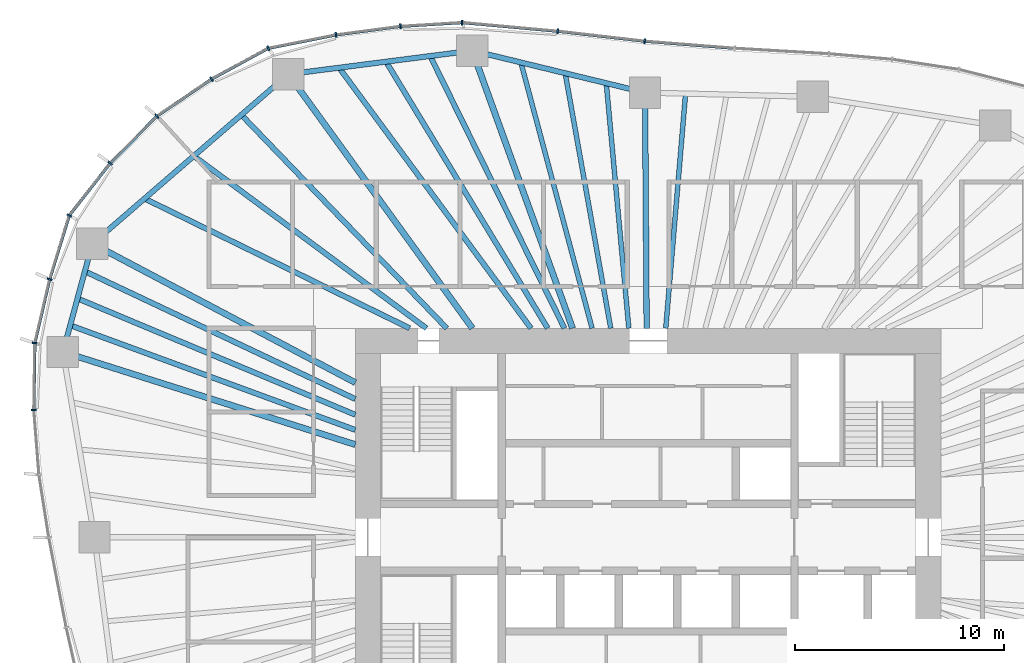
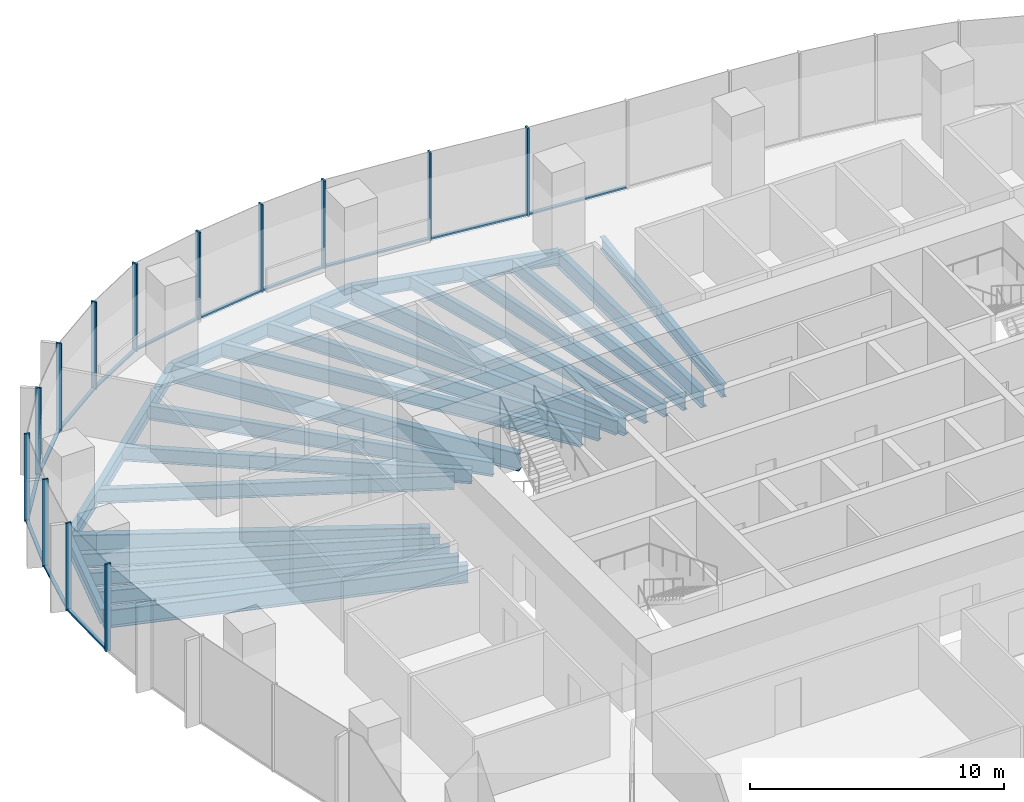
# One storey, part 5 of 18: 26 members, 22 beams, 6 elements without a shape of their own.
"""IFC4 building model written with IfcOpenShell, lengths in metres."""

from ifc_helpers import new_model, si_unit, direction, frame, origin, origin_2d, place, context, subcontext, project, spatial, rectangle, i_section, extrude, material, material_profile, profile_set, type_object, element, aggregate, save


model = new_model("IFC4")

# Units and contexts
model_context = context("Model", 3, precision=1e-05, world=origin(), true_north=direction((0.0, 1.0)))
body_context = subcontext(model_context, "Body", "Model", "MODEL_VIEW")
ifc_project = project(units=[si_unit("LENGTHUNIT", "METRE"), si_unit("AREAUNIT", "SQUARE_METRE"), si_unit("VOLUMEUNIT", "CUBIC_METRE"), si_unit("PLANEANGLEUNIT", "RADIAN"), si_unit("MASSUNIT", "GRAM", prefix="KILO")], contexts=[model_context])

# Site, building, storey
site_placement = place(None, origin())
site = spatial("IfcSite", under=ifc_project, at=site_placement, CompositionType="ELEMENT")
building_placement = place(site_placement, origin())
building = spatial("IfcBuilding", under=site, at=building_placement, Name="Ghaith Harvest Tower", CompositionType="ELEMENT")
storey_placement = place(building_placement, frame((0.0, 0.0, 142.800048828125)))
storey = spatial("IfcBuildingStorey", under=building, at=storey_placement, Name="L30", CompositionType="ELEMENT", Elevation=142.800048828125)

# Curtain wall, members
ifc_material_1 = material(Name="Black anodised aluminium and fritted glass", Category="aluminium")
curtain_wall_type = type_object("IfcCurtainWallType", Name="CW-L CURTAIN WALL", PredefinedType="NOTDEFINED", material=ifc_material_1)
curtain_wall_1_placement = place(storey_placement, origin())
curtain_wall_1 = element("IfcCurtainWall", 1, at=curtain_wall_1_placement, inside=storey, type_object=curtain_wall_type, Name="Curtain wall CW-L bay 06 L30", PredefinedType="NOTDEFINED")
ifc_material_2 = material(Name="Aluminium, black anodised", Category="aluminium")
ifc_material_profile_1 = material_profile(ifc_material_2, rectangle(XDim=0.080078125, YDim=0.239990234375, at=origin_2d()), Name="CW-L MULLION 80x240")
ifc_profile_set_1 = profile_set([ifc_material_profile_1], Name="Aluminium, black anodised")
member_type_1 = type_object("IfcMemberType", Name="CW-L MULLION 80x240", PredefinedType="MULLION", material=ifc_profile_set_1)
member_1_placement = place(storey_placement, frame((-0.162353515625, 23.729736328125, 0.0), z_axis=(0.0, 0.0, 1.0), x_axis=(-0.995388088953, 0.095929934691, 0.0)))
member_1 = element("IfcMember", 2, at=member_1_placement, type_object=member_type_1, Name="CW-L mullion 1 bay 06 L30", PredefinedType="MULLION", context=body_context, shape_type="SweptSolid", body=[
    extrude(rectangle(XDim=0.080078125, YDim=0.239990234375, at=origin_2d()), origin(), (0.0, 0.0, 1.0), 4.199951171875),
])
member_2_placement = place(storey_placement, frame((-4.322998046875, 24.207275390625, 0.0), z_axis=(0.0, 0.0, 1.0), x_axis=(-0.994830371571, 0.101550636625, 0.0)))
member_2 = element("IfcMember", 3, at=member_2_placement, type_object=member_type_1, Name="CW-L mullion 2 bay 06 L30", PredefinedType="MULLION", context=body_context, shape_type="SweptSolid", body=[
    extrude(rectangle(XDim=0.080078125, YDim=0.239990234375, at=origin_2d()), origin(), (0.0, 0.0, 1.0), 4.199951171875),
])

curtain_wall_2_placement = place(storey_placement, origin())
curtain_wall_2 = element("IfcCurtainWall", 4, at=curtain_wall_2_placement, inside=storey, type_object=curtain_wall_type, Name="Curtain wall CW-L bay 07 L30", PredefinedType="NOTDEFINED")
member_3_placement = place(storey_placement, frame((-8.892578125, 24.620849609375, 0.0), z_axis=(0.0, 0.0, 1.0), x_axis=(-0.999522209385, 0.030908784286, 0.0)))
member_3 = element("IfcMember", 5, at=member_3_placement, type_object=member_type_1, Name="CW-L mullion 1 bay 07 L30", PredefinedType="MULLION", context=body_context, shape_type="SweptSolid", body=[
    extrude(rectangle(XDim=0.080078125, YDim=0.239990234375, at=origin_2d()), origin(), (0.0, 0.0, 1.0), 4.199951171875),
])
member_4_placement = place(storey_placement, frame((-11.841064453125, 24.439697265625, 0.0), z_axis=(0.0, 0.0, 1.0), x_axis=(-0.995237520168, -0.097479630949, 0.0)))
member_4 = element("IfcMember", 6, at=member_4_placement, type_object=member_type_1, Name="CW-L mullion 2 bay 07 L30", PredefinedType="MULLION", context=body_context, shape_type="SweptSolid", body=[
    extrude(rectangle(XDim=0.080078125, YDim=0.239990234375, at=origin_2d()), origin(), (0.0, 0.0, 1.0), 4.199951171875),
])
member_5_placement = place(storey_placement, frame((-14.923828125, 24.030029296875, 0.0), z_axis=(0.0, 0.0, 1.0), x_axis=(-0.986494514812, -0.163794298578, 0.0)))
member_5 = element("IfcMember", 7, at=member_5_placement, type_object=member_type_1, Name="CW-L mullion 3 bay 07 L30", PredefinedType="MULLION", context=body_context, shape_type="SweptSolid", body=[
    extrude(rectangle(XDim=0.080078125, YDim=0.239990234375, at=origin_2d()), origin(), (0.0, 0.0, 1.0), 4.199951171875),
])

curtain_wall_3_placement = place(storey_placement, origin())
curtain_wall_3 = element("IfcCurtainWall", 8, at=curtain_wall_3_placement, inside=storey, type_object=curtain_wall_type, Name="Curtain wall CW-L bay 08 L30", PredefinedType="NOTDEFINED")
member_6_placement = place(storey_placement, frame((-18.165283203125, 23.3896484375, 0.0), z_axis=(0.0, 0.0, 1.0), x_axis=(-0.942103541202, -0.335322110298, 0.0)))
member_6 = element("IfcMember", 9, at=member_6_placement, type_object=member_type_1, Name="CW-L mullion 1 bay 08 L30", PredefinedType="MULLION", context=body_context, shape_type="SweptSolid", body=[
    extrude(rectangle(XDim=0.080078125, YDim=0.239990234375, at=origin_2d()), origin(), (0.0, 0.0, 1.0), 4.199951171875),
])
member_7_placement = place(storey_placement, frame((-20.87548828125, 21.91162109375, 0.0), z_axis=(0.0, 0.0, 1.0), x_axis=(-0.853515864435, -0.521066856707, 0.0)))
member_7 = element("IfcMember", 10, at=member_7_placement, type_object=member_type_1, Name="CW-L mullion 2 bay 08 L30", PredefinedType="MULLION", context=body_context, shape_type="SweptSolid", body=[
    extrude(rectangle(XDim=0.080078125, YDim=0.239990234375, at=origin_2d()), origin(), (0.0, 0.0, 1.0), 4.199951171875),
])
member_8_placement = place(storey_placement, frame((-23.489501953125, 20.13916015625, 0.0), z_axis=(0.0, 0.0, 1.0), x_axis=(-0.769682554376, -0.638426789451, 0.0)))
member_8 = element("IfcMember", 11, at=member_8_placement, type_object=member_type_1, Name="CW-L mullion 3 bay 08 L30", PredefinedType="MULLION", context=body_context, shape_type="SweptSolid", body=[
    extrude(rectangle(XDim=0.080078125, YDim=0.239990234375, at=origin_2d()), origin(), (0.0, 0.0, 1.0), 4.199951171875),
])

curtain_wall_4_placement = place(storey_placement, origin())
curtain_wall_4 = element("IfcCurtainWall", 12, at=curtain_wall_4_placement, inside=storey, type_object=curtain_wall_type, Name="Curtain wall CW-L bay 09 L30", PredefinedType="NOTDEFINED")
member_9_placement = place(storey_placement, frame((-25.718017578125, 17.894775390625, 0.0), z_axis=(0.0, 0.0, 1.0), x_axis=(-0.661903840688, -0.749588757708, 0.0)))
member_9 = element("IfcMember", 13, at=member_9_placement, type_object=member_type_1, Name="CW-L mullion 1 bay 09 L30", PredefinedType="MULLION", context=body_context, shape_type="SweptSolid", body=[
    extrude(rectangle(XDim=0.080078125, YDim=0.239990234375, at=origin_2d()), origin(), (0.0, 0.0, 1.0), 4.199951171875),
])
member_10_placement = place(storey_placement, frame((-27.67919921875, 15.39453125, 0.0), z_axis=(0.0, 0.0, 1.0), x_axis=(-0.462889784298, -0.886415843491, 0.0)))
member_10 = element("IfcMember", 14, at=member_10_placement, type_object=member_type_1, Name="CW-L mullion 2 bay 09 L30", PredefinedType="MULLION", context=body_context, shape_type="SweptSolid", body=[
    extrude(rectangle(XDim=0.080078125, YDim=0.239990234375, at=origin_2d()), origin(), (0.0, 0.0, 1.0), 4.199951171875),
])
member_11_placement = place(storey_placement, frame((-28.61669921875, 12.343994140625, 0.0), z_axis=(0.0, 0.0, 1.0), x_axis=(-0.260727312416, -0.965412486226, 0.0)))
member_11 = element("IfcMember", 15, at=member_11_placement, type_object=member_type_1, Name="CW-L mullion 3 bay 09 L30", PredefinedType="MULLION", context=body_context, shape_type="SweptSolid", body=[
    extrude(rectangle(XDim=0.080078125, YDim=0.239990234375, at=origin_2d()), origin(), (0.0, 0.0, 1.0), 4.199951171875),
])

curtain_wall_5_placement = place(storey_placement, origin())
curtain_wall_5 = element("IfcCurtainWall", 16, at=curtain_wall_5_placement, inside=storey, type_object=curtain_wall_type, Name="Curtain wall CW-L bay 10 L30", PredefinedType="NOTDEFINED")
member_12_placement = place(storey_placement, frame((-29.32666015625, 9.294189453125, 0.0), z_axis=(0.0, 0.0, 1.0), x_axis=(-0.120932140225, -0.99266077663, 0.0)))
member_12 = element("IfcMember", 17, at=member_12_placement, type_object=member_type_1, Name="CW-L mullion 1 bay 10 L30", PredefinedType="MULLION", context=body_context, shape_type="SweptSolid", body=[
    extrude(rectangle(XDim=0.080078125, YDim=0.239990234375, at=origin_2d()), origin(), (0.0, 0.0, 1.0), 4.199951171875),
])
member_13_placement = place(storey_placement, frame((-29.3779296875, 6.09619140625, 0.0), z_axis=(0.0, 0.0, 1.0), x_axis=(0.031027769448, -0.999518522851, 0.0)))
member_13 = element("IfcMember", 18, at=member_13_placement, type_object=member_type_1, Name="CW-L mullion 2 bay 10 L30", PredefinedType="MULLION", context=body_context, shape_type="SweptSolid", body=[
    extrude(rectangle(XDim=0.080078125, YDim=0.239990234375, at=origin_2d()), origin(), (0.0, 0.0, 1.0), 4.199951171875),
])

# Curtain wall, member
curtain_wall_6_placement = place(storey_placement, origin())
curtain_wall_6 = element("IfcCurtainWall", 19, at=curtain_wall_6_placement, inside=storey, type_object=curtain_wall_type, Name="Curtain wall CW-L bay 05 L30", PredefinedType="NOTDEFINED")
ifc_material_3 = material(Name="Aluminium, black anodised", Category="aluminium")
ifc_material_profile_2 = material_profile(ifc_material_3, rectangle(XDim=0.14990234375, YDim=0.080078125, at=origin_2d()), Name="CW-L TRANSOM 150x80")
ifc_profile_set_2 = profile_set([ifc_material_profile_2], Name="Aluminium, black anodised")
member_type_2 = type_object("IfcMemberType", Name="CW-L TRANSOM 150x80", PredefinedType="USERDEFINED", material=ifc_profile_set_2)
member_14_placement = place(storey_placement, frame((4.106689453125, 23.39404296875, 0.0400390625), z_axis=(-0.996923406046, 0.078381901463, 0.0), x_axis=(-0.078381901463, -0.996923406046, 0.0)))
member_14 = element("IfcMember", 20, at=member_14_placement, type_object=member_type_2, Name="CW-L transom 2 bay 05 L30", ObjectType="TRANSOM", PredefinedType="USERDEFINED", context=body_context, shape_type="SweptSolid", body=[
    extrude(rectangle(XDim=0.14990234375, YDim=0.080078125, at=origin_2d()), origin(), (0.0, 0.0, 1.0), 4.2421875),
])
aggregate(curtain_wall_6, [member_14])

# Member
member_15_placement = place(storey_placement, frame((-0.2021484375, 23.734130859375, 0.0400390625), z_axis=(-0.993474883942, 0.114051106861, 0.0), x_axis=(-0.114051106861, -0.993474883942, 0.0)))
member_15 = element("IfcMember", 21, at=member_15_placement, type_object=member_type_2, Name="CW-L transom 1 bay 06 L30", ObjectType="TRANSOM", PredefinedType="USERDEFINED", context=body_context, shape_type="SweptSolid", body=[
    extrude(rectangle(XDim=0.14990234375, YDim=0.080078125, at=origin_2d()), origin(), (0.0, 0.0, 1.0), 4.10791015625),
])

member_16_placement = place(storey_placement, frame((-4.36279296875, 24.210693359375, 0.0400390625), z_axis=(-0.995926431676, 0.090169521954, 0.0), x_axis=(-0.090169521954, -0.995926431676, 0.0)))
member_16 = element("IfcMember", 22, at=member_16_placement, type_object=member_type_2, Name="CW-L transom 2 bay 06 L30", ObjectType="TRANSOM", PredefinedType="USERDEFINED", context=body_context, shape_type="SweptSolid", body=[
    extrude(rectangle(XDim=0.14990234375, YDim=0.080078125, at=origin_2d()), origin(), (0.0, 0.0, 1.0), 4.508056640625),
])

aggregate(curtain_wall_1, [member_1, member_15, member_2, member_16])

member_17_placement = place(storey_placement, frame((-8.932373046875, 24.618408203125, 0.0400390625), z_axis=(-0.998117793577, -0.061325933705, 0.0), x_axis=(0.061325933705, -0.998117793577, 0.0)))
member_17 = element("IfcMember", 23, at=member_17_placement, type_object=member_type_2, Name="CW-L transom 1 bay 07 L30", ObjectType="TRANSOM", PredefinedType="USERDEFINED", context=body_context, shape_type="SweptSolid", body=[
    extrude(rectangle(XDim=0.14990234375, YDim=0.080078125, at=origin_2d()), origin(), (0.0, 0.0, 1.0), 2.874267578125),
])

member_18_placement = place(storey_placement, frame((-11.880859375, 24.434326171875, 0.0400390625), z_axis=(-0.991293929443, -0.131667556553, 0.0), x_axis=(0.131667556553, -0.991293929443, 0.0)))
member_18 = element("IfcMember", 24, at=member_18_placement, type_object=member_type_2, Name="CW-L transom 2 bay 07 L30", ObjectType="TRANSOM", PredefinedType="USERDEFINED", context=body_context, shape_type="SweptSolid", body=[
    extrude(rectangle(XDim=0.14990234375, YDim=0.080078125, at=origin_2d()), origin(), (0.0, 0.0, 1.0), 3.02978515625),
])

member_19_placement = place(storey_placement, frame((-14.963134765625, 24.022216796875, 0.0400390625), z_axis=(-0.98104391994, -0.19378551842, 0.0), x_axis=(0.19378551842, -0.98104391994, 0.0)))
member_19 = element("IfcMember", 25, at=member_19_placement, type_object=member_type_2, Name="CW-L transom 3 bay 07 L30", ObjectType="TRANSOM", PredefinedType="USERDEFINED", context=body_context, shape_type="SweptSolid", body=[
    extrude(rectangle(XDim=0.14990234375, YDim=0.080078125, at=origin_2d()), origin(), (0.0, 0.0, 1.0), 3.223876953125),
])

aggregate(curtain_wall_2, [member_3, member_17, member_4, member_18, member_5, member_19])

member_20_placement = place(storey_placement, frame((-18.200439453125, 23.37060546875, 0.0400390625), z_axis=(-0.877929702377, -0.478789554695, 0.0), x_axis=(0.478789554695, -0.877929702377, 0.0)))
member_20 = element("IfcMember", 26, at=member_20_placement, type_object=member_type_2, Name="CW-L transom 1 bay 08 L30", ObjectType="TRANSOM", PredefinedType="USERDEFINED", context=body_context, shape_type="SweptSolid", body=[
    extrude(rectangle(XDim=0.14990234375, YDim=0.080078125, at=origin_2d()), origin(), (0.0, 0.0, 1.0), 3.0068359375),
])

member_21_placement = place(storey_placement, frame((-20.908447265625, 21.88916015625, 0.0400390625), z_axis=(-0.827681025079, -0.561198824593, 0.0), x_axis=(0.561198824593, -0.827681025079, 0.0)))
member_21 = element("IfcMember", 27, at=member_21_placement, type_object=member_type_2, Name="CW-L transom 2 bay 08 L30", ObjectType="TRANSOM", PredefinedType="USERDEFINED", context=body_context, shape_type="SweptSolid", body=[
    extrude(rectangle(XDim=0.14990234375, YDim=0.080078125, at=origin_2d()), origin(), (0.0, 0.0, 1.0), 3.078369140625),
])

member_22_placement = place(storey_placement, frame((-23.517578125, 20.11083984375, 0.0400390625), z_axis=(-0.704647577514, -0.709557461735, 0.0), x_axis=(0.709557461735, -0.704647577514, 0.0)))
member_22 = element("IfcMember", 28, at=member_22_placement, type_object=member_type_2, Name="CW-L transom 3 bay 08 L30", ObjectType="TRANSOM", PredefinedType="USERDEFINED", context=body_context, shape_type="SweptSolid", body=[
    extrude(rectangle(XDim=0.14990234375, YDim=0.080078125, at=origin_2d()), origin(), (0.0, 0.0, 1.0), 3.0830078125),
])

aggregate(curtain_wall_3, [member_6, member_20, member_7, member_21, member_8, member_22])

member_23_placement = place(storey_placement, frame((-25.74267578125, 17.86328125, 0.0400390625), z_axis=(-0.617198298797, -0.786807638474, 0.0), x_axis=(0.786807638474, -0.617198298797, 0.0)))
member_23 = element("IfcMember", 29, at=member_23_placement, type_object=member_type_2, Name="CW-L transom 1 bay 09 L30", ObjectType="TRANSOM", PredefinedType="USERDEFINED", context=body_context, shape_type="SweptSolid", body=[
    extrude(rectangle(XDim=0.14990234375, YDim=0.080078125, at=origin_2d()), origin(), (0.0, 0.0, 1.0), 3.09765625),
])

member_24_placement = place(storey_placement, frame((-27.69091796875, 15.356201171875, 0.0400390625), z_axis=(-0.293777058804, -0.955873966441, 0.0), x_axis=(0.955873966441, -0.293777058804, 0.0)))
member_24 = element("IfcMember", 30, at=member_24_placement, type_object=member_type_2, Name="CW-L transom 2 bay 09 L30", ObjectType="TRANSOM", PredefinedType="USERDEFINED", context=body_context, shape_type="SweptSolid", body=[
    extrude(rectangle(XDim=0.14990234375, YDim=0.080078125, at=origin_2d()), origin(), (0.0, 0.0, 1.0), 3.111328125),
])

member_25_placement = place(storey_placement, frame((-28.6259765625, 12.304931640625, 0.0400390625), z_axis=(-0.226670598607, -0.973971477882, 0.0), x_axis=(0.973971477882, -0.226670598607, 0.0)))
member_25 = element("IfcMember", 31, at=member_25_placement, type_object=member_type_2, Name="CW-L transom 3 bay 09 L30", ObjectType="TRANSOM", PredefinedType="USERDEFINED", context=body_context, shape_type="SweptSolid", body=[
    extrude(rectangle(XDim=0.14990234375, YDim=0.080078125, at=origin_2d()), origin(), (0.0, 0.0, 1.0), 3.05126953125),
])

aggregate(curtain_wall_4, [member_9, member_23, member_10, member_24, member_11, member_25])

member_26_placement = place(storey_placement, frame((-29.327392578125, 9.254150390625, 0.0400390625), z_axis=(-0.015971652868, -0.999872445017, 0.0), x_axis=(0.999872445017, -0.015971652868, 0.0)))
member_26 = element("IfcMember", 32, at=member_26_placement, type_object=member_type_2, Name="CW-L transom 1 bay 10 L30", ObjectType="TRANSOM", PredefinedType="USERDEFINED", context=body_context, shape_type="SweptSolid", body=[
    extrude(rectangle(XDim=0.14990234375, YDim=0.080078125, at=origin_2d()), origin(), (0.0, 0.0, 1.0), 3.118408203125),
])

aggregate(curtain_wall_5, [member_12, member_26, member_13])

# Beams
ifc_material_4 = material(Name="Steel ASTM A992 Grade 50", Category="steel")
ifc_material_profile_3 = material_profile(ifc_material_4, i_section(OverallWidth=0.25390625, OverallDepth=0.68408203125, WebThickness=0.012451171875, FlangeThickness=0.018798828125, at=origin_2d()), Name="W690X140")
ifc_profile_set_3 = profile_set([ifc_material_profile_3], Name="Steel ASTM A992 Grade 50")
beam_type_1 = type_object("IfcBeamType", Name="E690-140 W690X140", PredefinedType="SPANDREL", material=ifc_profile_set_3)
beam_1_placement = place(storey_placement, frame((-0.14599609375, 21.27099609375, -0.511962890625), z_axis=(-0.971790293477, 0.235846614358, 0.0), x_axis=(-0.235846614358, -0.971790293477, 0.0)))
element("IfcBeam", 33, at=beam_1_placement, inside=storey, type_object=beam_type_1, Name="Edge beam E06 L30", PredefinedType="SPANDREL", context=body_context, shape_type="SweptSolid", body=[
    extrude(i_section(OverallWidth=0.25390625, OverallDepth=0.68408203125, WebThickness=0.012451171875, FlangeThickness=0.018798828125, at=origin_2d()), origin(), (0.0, 0.0, 1.0), 8.500732421875),
])
beam_2_placement = place(storey_placement, frame((-8.406982421875, 23.27587890625, -0.511962890625), z_axis=(-0.991904090065, -0.126989275577, 0.0), x_axis=(0.126989275577, -0.991904090065, 0.0)))
element("IfcBeam", 34, at=beam_2_placement, inside=storey, type_object=beam_type_1, Name="Edge beam E07 L30", PredefinedType="SPANDREL", context=body_context, shape_type="SweptSolid", body=[
    extrude(i_section(OverallWidth=0.25390625, OverallDepth=0.68408203125, WebThickness=0.012451171875, FlangeThickness=0.018798828125, at=origin_2d()), origin(), (0.0, 0.0, 1.0), 8.86669921875),
])
beam_3_placement = place(storey_placement, frame((-17.201904296875, 22.14990234375, -0.511962890625), z_axis=(-0.756392158274, -0.654118416574, 0.0), x_axis=(0.654118416574, -0.756392158274, 0.0)))
element("IfcBeam", 35, at=beam_3_placement, inside=storey, type_object=beam_type_1, Name="Edge beam E08 L30", PredefinedType="SPANDREL", context=body_context, shape_type="SweptSolid", body=[
    extrude(i_section(OverallWidth=0.25390625, OverallDepth=0.68408203125, WebThickness=0.012451171875, FlangeThickness=0.018798828125, at=origin_2d()), origin(), (0.0, 0.0, 1.0), 12.38916015625),
])
beam_4_placement = place(storey_placement, frame((-26.572998046875, 14.0458984375, -0.511962890625), z_axis=(-0.262724740433, -0.964870825947, 0.0), x_axis=(0.964870825947, -0.262724740433, 0.0)))
element("IfcBeam", 36, at=beam_4_placement, inside=storey, type_object=beam_type_1, Name="Edge beam E09 L30", PredefinedType="SPANDREL", context=body_context, shape_type="SweptSolid", body=[
    extrude(i_section(OverallWidth=0.25390625, OverallDepth=0.68408203125, WebThickness=0.012451171875, FlangeThickness=0.018798828125, at=origin_2d()), origin(), (0.0, 0.0, 1.0), 5.366455078125),
])
ifc_material_5 = material(Name="Steel ASTM A992 Grade 50", Category="steel")
ifc_material_profile_4 = material_profile(ifc_material_5, i_section(OverallWidth=0.26806640625, OverallDepth=0.77001953125, WebThickness=0.015625, FlangeThickness=0.025390625, at=origin_2d()), Name="W760X196")
ifc_profile_set_4 = profile_set([ifc_material_profile_4], Name="Steel ASTM A992 Grade 50")
beam_type_2 = type_object("IfcBeamType", Name="G760-196 W760X196", PredefinedType="BEAM", material=ifc_profile_set_4)
beam_5_placement = place(storey_placement, frame((-0.068359375, 10.0, -0.554931640625), z_axis=(-0.006888022705, 0.99997627729, 0.0), x_axis=(-0.99997627729, -0.006888022705, 0.0)))
element("IfcBeam", 37, at=beam_5_placement, inside=storey, type_object=beam_type_2, Name="Radial girder G06 L30", PredefinedType="BEAM", context=body_context, shape_type="SweptSolid", body=[
    extrude(i_section(OverallWidth=0.26806640625, OverallDepth=0.77001953125, WebThickness=0.015625, FlangeThickness=0.025390625, at=origin_2d()), origin(), (0.0, 0.0, 1.0), 11.271240234375),
])
ifc_material_6 = material(Name="Steel ASTM A992 Grade 50", Category="steel")
ifc_material_profile_5 = material_profile(ifc_material_6, i_section(OverallWidth=0.2939453125, OverallDepth=0.85107421875, WebThickness=0.01611328125, FlangeThickness=0.02685546875, at=origin_2d()), Name="W840X226")
ifc_profile_set_5 = profile_set([ifc_material_profile_5], Name="Steel ASTM A992 Grade 50")
beam_type_3 = type_object("IfcBeamType", Name="G840-226 W840X226", PredefinedType="BEAM", material=ifc_profile_set_5)
beam_6_placement = place(storey_placement, frame((-3.61181640625, 10.0, -0.595458984375), z_axis=(-0.339713316819, 0.940529033245, 0.0), x_axis=(-0.940529033245, -0.339713316819, 0.0)))
element("IfcBeam", 38, at=beam_6_placement, inside=storey, type_object=beam_type_3, Name="Radial girder G07 L30", PredefinedType="BEAM", context=body_context, shape_type="SweptSolid", body=[
    extrude(i_section(OverallWidth=0.2939453125, OverallDepth=0.85107421875, WebThickness=0.01611328125, FlangeThickness=0.02685546875, at=origin_2d()), origin(), (0.0, 0.0, 1.0), 14.115234375),
])
beam_7_placement = place(storey_placement, frame((-8.39990234375, 10.0, -0.595458984375), z_axis=(-0.586675813287, 0.809821887889, 0.0), x_axis=(-0.809821887889, -0.586675813287, 0.0)))
element("IfcBeam", 39, at=beam_7_placement, inside=storey, type_object=beam_type_3, Name="Radial girder G08 L30", PredefinedType="BEAM", context=body_context, shape_type="SweptSolid", body=[
    extrude(i_section(OverallWidth=0.2939453125, OverallDepth=0.85107421875, WebThickness=0.01611328125, FlangeThickness=0.02685546875, at=origin_2d()), origin(), (0.0, 0.0, 1.0), 15.003173828125),
])
beam_8_placement = place(storey_placement, frame((-14.0, 7.39990234375, -0.595458984375), z_axis=(-0.88408713845, 0.467322085533, 0.0), x_axis=(-0.467322085533, -0.88408713845, 0.0)))
element("IfcBeam", 40, at=beam_8_placement, inside=storey, type_object=beam_type_3, Name="Radial girder G09 L30", PredefinedType="BEAM", context=body_context, shape_type="SweptSolid", body=[
    extrude(i_section(OverallWidth=0.2939453125, OverallDepth=0.85107421875, WebThickness=0.01611328125, FlangeThickness=0.02685546875, at=origin_2d()), origin(), (0.0, 0.0, 1.0), 14.221435546875),
])
beam_9_placement = place(storey_placement, frame((-14.0, 4.43701171875, -0.595458984375), z_axis=(-0.953283605796, 0.302076756671, 0.0), x_axis=(-0.302076756671, -0.953283605796, 0.0)))
element("IfcBeam", 41, at=beam_9_placement, inside=storey, type_object=beam_type_3, Name="Radial girder G10 L30", PredefinedType="BEAM", context=body_context, shape_type="SweptSolid", body=[
    extrude(i_section(OverallWidth=0.2939453125, OverallDepth=0.85107421875, WebThickness=0.01611328125, FlangeThickness=0.02685546875, at=origin_2d()), origin(), (0.0, 0.0, 1.0), 14.668212890625),
])
ifc_material_7 = material(Name="Steel ASTM A992 Grade 50", Category="steel")
ifc_material_profile_6 = material_profile(ifc_material_7, i_section(OverallWidth=0.22900390625, OverallDepth=0.612060546875, WebThickness=0.011962890625, FlangeThickness=0.01953125, at=origin_2d()), Name="W610X125")
ifc_profile_set_6 = profile_set([ifc_material_profile_6], Name="Steel ASTM A992 Grade 50")
beam_type_4 = type_object("IfcBeamType", Name="J610-125 W610X125", PredefinedType="JOIST", material=ifc_profile_set_6)
beam_10_placement = place(storey_placement, frame((0.844970703125, 10.0, -0.47607421875), z_axis=(0.084213263804, 0.996447753873, 0.0), x_axis=(-0.996447753873, 0.084213263804, 0.0)))
element("IfcBeam", 42, at=beam_10_placement, inside=storey, type_object=beam_type_4, Name="Joist J05.3 L30", PredefinedType="JOIST", context=body_context, shape_type="SweptSolid", body=[
    extrude(i_section(OverallWidth=0.22900390625, OverallDepth=0.612060546875, WebThickness=0.011962890625, FlangeThickness=0.01953125, at=origin_2d()), origin(), (0.0, 0.0, 1.0), 11.262939453125),
])
beam_11_placement = place(storey_placement, frame((-0.92041015625, 10.0, -0.47607421875), z_axis=(-0.091659676302, 0.995790391468, 0.0), x_axis=(-0.995790391468, -0.091659676302, 0.0)))
element("IfcBeam", 43, at=beam_11_placement, inside=storey, type_object=beam_type_4, Name="Joist J06.1 L30", PredefinedType="JOIST", context=body_context, shape_type="SweptSolid", body=[
    extrude(i_section(OverallWidth=0.22900390625, OverallDepth=0.612060546875, WebThickness=0.011962890625, FlangeThickness=0.01953125, at=origin_2d()), origin(), (0.0, 0.0, 1.0), 11.770263671875),
])
beam_12_placement = place(storey_placement, frame((-1.785888671875, 10.0, -0.47607421875), z_axis=(-0.175794730188, 0.984426844838, 0.0), x_axis=(-0.984426844838, -0.175794730188, 0.0)))
element("IfcBeam", 44, at=beam_12_placement, inside=storey, type_object=beam_type_4, Name="Joist J06.2 L30", PredefinedType="JOIST", context=body_context, shape_type="SweptSolid", body=[
    extrude(i_section(OverallWidth=0.22900390625, OverallDepth=0.612060546875, WebThickness=0.011962890625, FlangeThickness=0.01953125, at=origin_2d()), origin(), (0.0, 0.0, 1.0), 12.390625),
])
beam_13_placement = place(storey_placement, frame((-2.677978515625, 10.0, -0.47607421875), z_axis=(-0.258692500157, 0.965959725021, 0.0), x_axis=(-0.965959725021, -0.258692500157, 0.0)))
element("IfcBeam", 45, at=beam_13_placement, inside=storey, type_object=beam_type_4, Name="Joist J06.3 L30", PredefinedType="JOIST", context=body_context, shape_type="SweptSolid", body=[
    extrude(i_section(OverallWidth=0.22900390625, OverallDepth=0.612060546875, WebThickness=0.011962890625, FlangeThickness=0.01953125, at=origin_2d()), origin(), (0.0, 0.0, 1.0), 13.15966796875),
])
ifc_material_8 = material(Name="Steel ASTM A992 Grade 50", Category="steel")
ifc_material_profile_7 = material_profile(ifc_material_8, i_section(OverallWidth=0.25390625, OverallDepth=0.68408203125, WebThickness=0.012451171875, FlangeThickness=0.018798828125, at=origin_2d()), Name="W690X140")
ifc_profile_set_7 = profile_set([ifc_material_profile_7], Name="Steel ASTM A992 Grade 50")
beam_type_5 = type_object("IfcBeamType", Name="J690-140 W690X140", PredefinedType="JOIST", material=ifc_profile_set_7)
beam_14_placement = place(storey_placement, frame((-4.0, 10.0, -0.511962890625), z_axis=(-0.442214455448, 0.896909346251, 0.0), x_axis=(-0.896909346251, -0.442214455448, 0.0)))
element("IfcBeam", 46, at=beam_14_placement, inside=storey, type_object=beam_type_5, Name="Joist J07.1 L30", PredefinedType="JOIST", context=body_context, shape_type="SweptSolid", body=[
    extrude(i_section(OverallWidth=0.25390625, OverallDepth=0.68408203125, WebThickness=0.012451171875, FlangeThickness=0.018798828125, at=origin_2d()), origin(), (0.0, 0.0, 1.0), 14.514892578125),
])
beam_15_placement = place(storey_placement, frame((-4.800048828125, 10.0, -0.511962890625), z_axis=(-0.51847337083, 0.855093774822, 0.0), x_axis=(-0.855093774822, -0.51847337083, 0.0)))
element("IfcBeam", 47, at=beam_15_placement, inside=storey, type_object=beam_type_5, Name="Joist J07.2 L30", PredefinedType="JOIST", context=body_context, shape_type="SweptSolid", body=[
    extrude(i_section(OverallWidth=0.25390625, OverallDepth=0.68408203125, WebThickness=0.012451171875, FlangeThickness=0.018798828125, at=origin_2d()), origin(), (0.0, 0.0, 1.0), 14.90869140625),
])
beam_16_placement = place(storey_placement, frame((-5.60009765625, 10.0, -0.511962890625), z_axis=(-0.592984827174, 0.805213632983, 0.0), x_axis=(-0.805213632983, -0.592984827174, 0.0)))
element("IfcBeam", 48, at=beam_16_placement, inside=storey, type_object=beam_type_5, Name="Joist J07.3 L30", PredefinedType="JOIST", context=body_context, shape_type="SweptSolid", body=[
    extrude(i_section(OverallWidth=0.25390625, OverallDepth=0.68408203125, WebThickness=0.012451171875, FlangeThickness=0.018798828125, at=origin_2d()), origin(), (0.0, 0.0, 1.0), 15.474609375),
])
beam_17_placement = place(storey_placement, frame((-9.626708984375, 10.0, -0.511962890625), z_axis=(-0.693535693616, 0.720422266231, 0.0), x_axis=(-0.720422266231, -0.693535693616, 0.0)))
element("IfcBeam", 49, at=beam_17_placement, inside=storey, type_object=beam_type_5, Name="Joist J08.1 L30", PredefinedType="JOIST", context=body_context, shape_type="SweptSolid", body=[
    extrude(i_section(OverallWidth=0.25390625, OverallDepth=0.68408203125, WebThickness=0.012451171875, FlangeThickness=0.018798828125, at=origin_2d()), origin(), (0.0, 0.0, 1.0), 14.16552734375),
])
beam_18_placement = place(storey_placement, frame((-10.60009765625, 10.0, -0.511962890625), z_axis=(-0.803663089107, 0.595084564752, 0.0), x_axis=(-0.595084564752, -0.803663089107, 0.0)))
element("IfcBeam", 50, at=beam_18_placement, inside=storey, type_object=beam_type_5, Name="Joist J08.2 L30", PredefinedType="JOIST", context=body_context, shape_type="SweptSolid", body=[
    extrude(i_section(OverallWidth=0.25390625, OverallDepth=0.68408203125, WebThickness=0.012451171875, FlangeThickness=0.018798828125, at=origin_2d()), origin(), (0.0, 0.0, 1.0), 13.843505859375),
])
beam_19_placement = place(storey_placement, frame((-11.39990234375, 10.0, -0.511962890625), z_axis=(-0.898274832354, 0.439434096946, 0.0), x_axis=(-0.439434096946, -0.898274832354, 0.0)))
element("IfcBeam", 51, at=beam_19_placement, inside=storey, type_object=beam_type_5, Name="Joist J08.3 L30", PredefinedType="JOIST", context=body_context, shape_type="SweptSolid", body=[
    extrude(i_section(OverallWidth=0.25390625, OverallDepth=0.68408203125, WebThickness=0.012451171875, FlangeThickness=0.018798828125, at=origin_2d()), origin(), (0.0, 0.0, 1.0), 14.114990234375),
])
beam_20_placement = place(storey_placement, frame((-14.0, 6.614990234375, -0.511962890625), z_axis=(-0.904153428261, 0.427207886354, 0.0), x_axis=(-0.427207886354, -0.904153428261, 0.0)))
element("IfcBeam", 52, at=beam_20_placement, inside=storey, type_object=beam_type_5, Name="Joist J09.1 L30", PredefinedType="JOIST", context=body_context, shape_type="SweptSolid", body=[
    extrude(i_section(OverallWidth=0.25390625, OverallDepth=0.68408203125, WebThickness=0.012451171875, FlangeThickness=0.018798828125, at=origin_2d()), origin(), (0.0, 0.0, 1.0), 14.303466796875),
])
beam_21_placement = place(storey_placement, frame((-14.0, 5.862548828125, -0.511962890625), z_axis=(-0.922385943167, 0.38626955853, 0.0), x_axis=(-0.38626955853, -0.922385943167, 0.0)))
element("IfcBeam", 53, at=beam_21_placement, inside=storey, type_object=beam_type_5, Name="Joist J09.2 L30", PredefinedType="JOIST", context=body_context, shape_type="SweptSolid", body=[
    extrude(i_section(OverallWidth=0.25390625, OverallDepth=0.68408203125, WebThickness=0.012451171875, FlangeThickness=0.018798828125, at=origin_2d()), origin(), (0.0, 0.0, 1.0), 14.404296875),
])
beam_22_placement = place(storey_placement, frame((-14.0, 5.137939453125, -0.511962890625), z_axis=(-0.93877541132, 0.344529718748, 0.0), x_axis=(-0.344529718748, -0.93877541132, 0.0)))
element("IfcBeam", 54, at=beam_22_placement, inside=storey, type_object=beam_type_5, Name="Joist J09.3 L30", PredefinedType="JOIST", context=body_context, shape_type="SweptSolid", body=[
    extrude(i_section(OverallWidth=0.25390625, OverallDepth=0.68408203125, WebThickness=0.012451171875, FlangeThickness=0.018798828125, at=origin_2d()), origin(), (0.0, 0.0, 1.0), 14.525390625),
])

save(model, "model.ifc")
